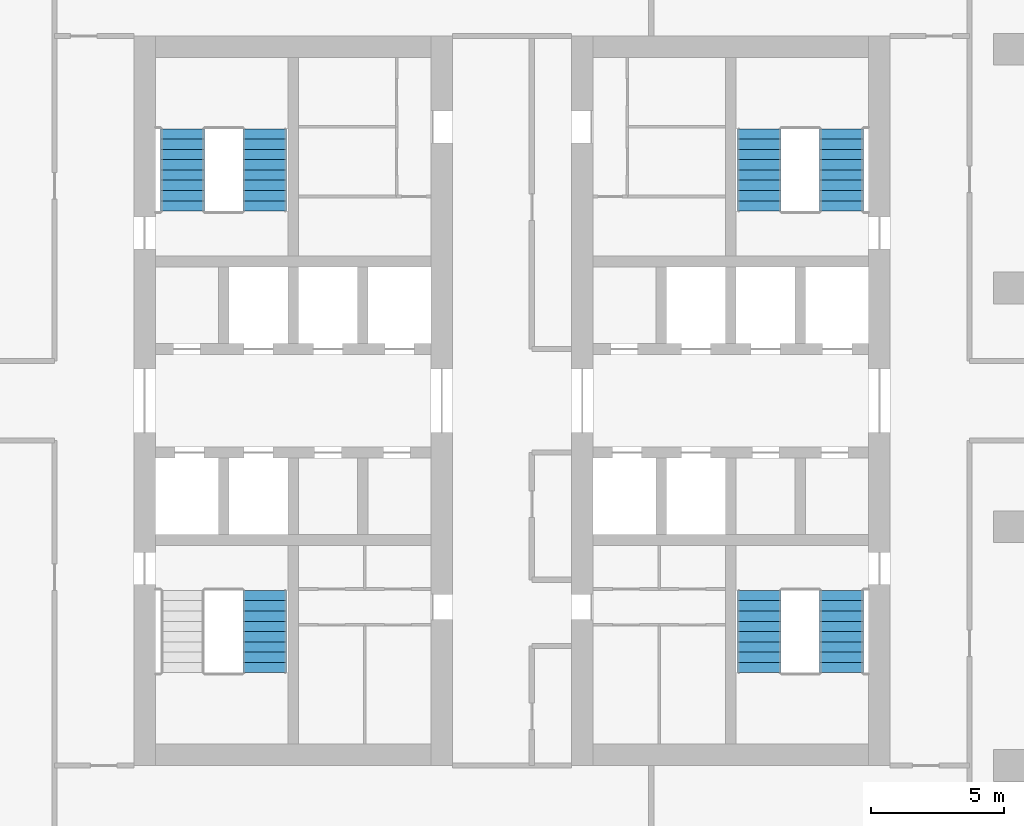
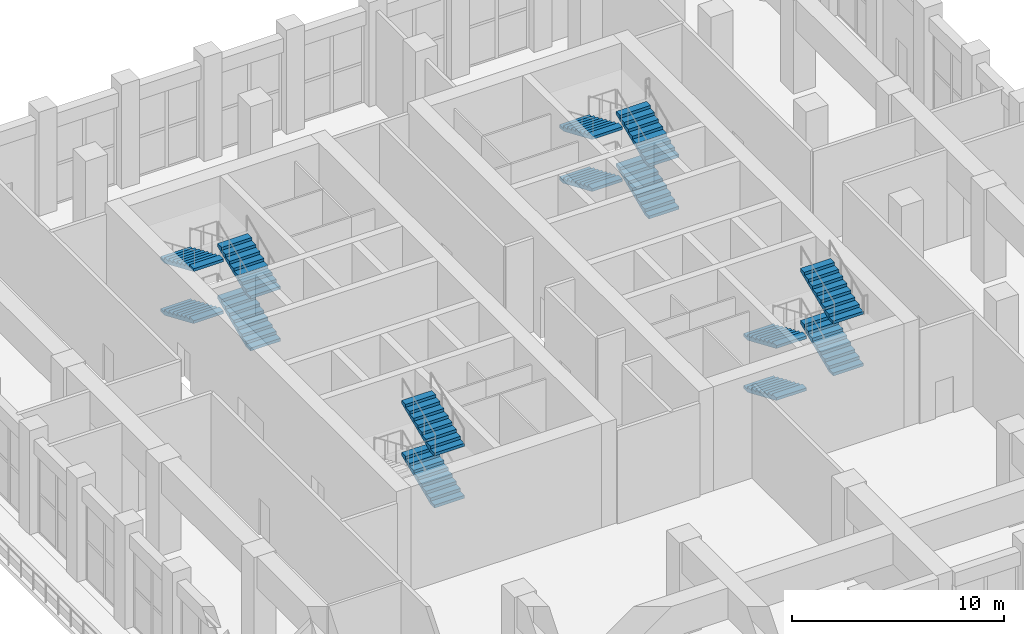
# One storey, part 17 of 25: 14 stair flights, 4 elements without a shape of their own.
"""IFC4 building model written with IfcOpenShell, lengths in metres."""

import ifcopenshell
import ifcopenshell.guid

model = None  # the IFC model being written
_history = None  # IfcOwnerHistory: only IFC2X3 demands one
_inside = {}  # id of a spatial element -> (the spatial element, [elements in it])
_under = {}  # id of a project, library or spatial element -> (it, [spatial elements below it])
_declared = {}  # id of a project -> (the project, [libraries it declares])
_typed = {}  # id of a type object -> (the type object, [elements of that type])
_made_of = {}  # id of a material, layer set ... -> (it, [elements and type objects made of it])


def new_model(schema):
    """Start an empty IFC model of exactly this schema.

    Asked for "IFC4X3", IfcOpenShell would pick the latest addendum, in which some entities
    have other attributes; the version numbers below select the first issue.
    IFC2X3 requires an IfcOwnerHistory on every rooted entity: one is made here for all.
    """
    global model, _history
    if schema == "IFC4X3":
        model = ifcopenshell.file(schema_version=(4, 3, 0, 0))
    else:
        model = ifcopenshell.file(schema=schema)
    _inside.clear()
    _under.clear()
    _declared.clear()
    _typed.clear()
    _made_of.clear()
    _history = None
    if model.schema == "IFC2X3":
        org = make("IfcOrganization", Name="unknown")
        user = make(
            "IfcPersonAndOrganization",
            ThePerson=make("IfcPerson", FamilyName="unknown"),
            TheOrganization=org,
        )
        app = make(
            "IfcApplication",
            ApplicationDeveloper=org,
            Version="unknown",
            ApplicationFullName="unknown",
            ApplicationIdentifier="unknown",
        )
        _history = make(
            "IfcOwnerHistory",
            OwningUser=user,
            OwningApplication=app,
            ChangeAction="ADDED",
            CreationDate=0,
        )
    return model


def make(cls, **values):
    """One entity of the class cls with the attributes given. An attribute that is None is left unset."""
    return model.create_entity(
        cls, **{name: value for name, value in values.items() if value is not None}
    )


def rooted(cls, **values):
    """An entity with a GlobalId (a new one), such as an element, a storey or a relation."""
    return make(cls, GlobalId=ifcopenshell.guid.new(), OwnerHistory=_history, **values)


def si_unit(unit_type, name, prefix=None):
    """IfcSIUnit, for example si_unit("LENGTHUNIT", "METRE", prefix="MILLI")."""
    return make("IfcSIUnit", UnitType=unit_type, Prefix=prefix, Name=name)


def assignment(units):
    """IfcUnitAssignment: the units of a project."""
    return None if units is None else make("IfcUnitAssignment", Units=units)


def point(xyz):
    """IfcCartesianPoint."""
    return None if xyz is None else make("IfcCartesianPoint", Coordinates=xyz)


def direction(xyz):
    """IfcDirection."""
    return None if xyz is None else make("IfcDirection", DirectionRatios=xyz)


def frame(location, z_axis=None, x_axis=None):
    """IfcAxis2Placement3D, a coordinate frame: its origin and axes. An axis left out is left unset."""
    return make(
        "IfcAxis2Placement3D",
        Location=point(location),
        Axis=direction(z_axis),
        RefDirection=direction(x_axis),
    )


def origin():
    """The frame at (0, 0, 0) with its axes left unset."""
    return frame((0.0, 0.0, 0.0))


def place(relative_to, where):
    """IfcLocalPlacement: puts the frame where relative to a parent placement (None: the world)."""
    return make(
        "IfcLocalPlacement", PlacementRelTo=relative_to, RelativePlacement=where
    )


def context(
    kind, dimensions, precision=None, world=None, true_north=None, identifier=None
):
    """IfcGeometricRepresentationContext, for example the 3D "Model" context."""
    return make(
        "IfcGeometricRepresentationContext",
        ContextIdentifier=identifier,
        ContextType=kind,
        CoordinateSpaceDimension=dimensions,
        Precision=precision,
        WorldCoordinateSystem=world,
        TrueNorth=true_north,
    )


def subcontext(parent, identifier, kind, view, scale=None):
    """IfcGeometricRepresentationSubContext, for example "Body" below "Model"."""
    return make(
        "IfcGeometricRepresentationSubContext",
        ContextIdentifier=identifier,
        ContextType=kind,
        ParentContext=parent,
        TargetScale=scale,
        TargetView=view,
    )


def project(units=None, contexts=None):
    """IfcProject with its units and contexts."""
    return rooted(
        "IfcProject",
        Name="project",
        RepresentationContexts=contexts,
        UnitsInContext=assignment(units),
    )


def spatial(cls, under=None, at=None, **own):
    """A site, building, storey or space (cls), placed at a placement, below another one or the project."""
    s = rooted(cls, ObjectPlacement=at, **own)
    if under is not None:
        _under.setdefault(under.id(), (under, []))[1].append(s)
    return s


def polyline(points):
    """IfcPolyline through the points."""
    return make("IfcPolyline", Points=[point(p) for p in points])


def outline(outer, holes=None, kind="AREA"):
    """IfcArbitraryClosedProfileDef: a profile drawn as a closed curve; with holes, ...WithVoids."""
    if holes is None:
        return make("IfcArbitraryClosedProfileDef", ProfileType=kind, OuterCurve=outer)
    return make(
        "IfcArbitraryProfileDefWithVoids",
        ProfileType=kind,
        OuterCurve=outer,
        InnerCurves=holes,
    )


def extrude(swept, where, along, depth):
    """IfcExtrudedAreaSolid: the profile swept, set in the frame where, extruded along a direction by depth."""
    return make(
        "IfcExtrudedAreaSolid",
        SweptArea=swept,
        Position=where,
        ExtrudedDirection=direction(along),
        Depth=depth,
    )


def shape(context_of_items, identifier, shape_type, items):
    """IfcShapeRepresentation: the items that make up one representation, for example the "Body"."""
    return make(
        "IfcShapeRepresentation",
        ContextOfItems=context_of_items,
        RepresentationIdentifier=identifier,
        RepresentationType=shape_type,
        Items=items,
    )


def material(Name=None, Category=None):
    """IfcMaterial."""
    return make("IfcMaterial", Name=Name, Category=Category)


def made_of(thing, what):
    """Note that an element or type object is made of a material, layer set ...; save() writes the relation."""
    if what is not None:
        _made_of.setdefault(what.id(), (what, []))[1].append(thing)
    return thing


def type_object(cls, material=None, **own):
    """A type object (cls), such as IfcWallType, which elements share."""
    return made_of(rooted(cls, **own), material)


def element(
    cls,
    number,
    at=None,
    inside=None,
    cuts=None,
    type_object=None,
    material=None,
    context=None,
    identifier="Body",
    shape_type=None,
    held_by="IfcProductDefinitionShape",
    body=None,
    shapes=None,
    **own,
):
    """One element of the class cls, such as IfcWall. Its Tag is "e" and its number.

    at: its placement. inside: the storey or other place that contains it. cuts: it is an
    opening in that element (IfcRelVoidsElement). A single representation is given by context,
    identifier, shape_type and body (its items); several are given by shapes. held_by: the class
    of the entity that holds the representations. save() writes the other relations.
    """
    e = rooted(cls, Tag="e%d" % number, ObjectPlacement=at, **own)
    if body is not None:
        shapes = [shape(context, identifier, shape_type, body)]
    if shapes is not None:
        e.Representation = make(held_by, Representations=shapes)
    if inside is not None:
        _inside.setdefault(inside.id(), (inside, []))[1].append(e)
    if cuts is not None:
        rooted(
            "IfcRelVoidsElement", RelatingBuildingElement=cuts, RelatedOpeningElement=e
        )
    if type_object is not None:
        _typed.setdefault(type_object.id(), (type_object, []))[1].append(e)
    return made_of(e, material)


def aggregate(whole, parts):
    """IfcRelAggregates: a whole, such as a stair, and the parts it consists of."""
    return rooted("IfcRelAggregates", RelatingObject=whole, RelatedObjects=parts)


def save(model, path):
    """Write the relations noted so far, then the file.

    IfcRelAggregates (storeys below a building ...), IfcRelContainedInSpatialStructure (elements
    in a storey), IfcRelDefinesByType, IfcRelAssociatesMaterial and IfcRelDeclares: one each for
    every whole, place, type object, material and project.
    """
    for whole, parts in _under.values():
        aggregate(whole, parts)
    for where, things in _inside.values():
        rooted(
            "IfcRelContainedInSpatialStructure",
            RelatedElements=things,
            RelatingStructure=where,
        )
    for kind, things in _typed.values():
        rooted("IfcRelDefinesByType", RelatedObjects=things, RelatingType=kind)
    for what, things in _made_of.values():
        rooted("IfcRelAssociatesMaterial", RelatedObjects=things, RelatingMaterial=what)
    for by, libraries in _declared.values():
        rooted("IfcRelDeclares", RelatingContext=by, RelatedDefinitions=libraries)
    model.write(path)


model = new_model("IFC4")

# Units and contexts
model_context = context("Model", 3, precision=1e-05, world=origin(), true_north=direction((0.0, 1.0)))
body_context = subcontext(model_context, "Body", "Model", "MODEL_VIEW")
ifc_project = project(units=[si_unit("LENGTHUNIT", "METRE"), si_unit("AREAUNIT", "SQUARE_METRE"), si_unit("VOLUMEUNIT", "CUBIC_METRE"), si_unit("PLANEANGLEUNIT", "RADIAN"), si_unit("MASSUNIT", "GRAM", prefix="KILO")], contexts=[model_context])

# Site, building, storey
site_placement = place(None, origin())
site = spatial("IfcSite", under=ifc_project, at=site_placement, CompositionType="ELEMENT")
building_placement = place(site_placement, origin())
building = spatial("IfcBuilding", under=site, at=building_placement, Name="Corbel Stack Research Tower", CompositionType="ELEMENT")
storey_placement = place(building_placement, frame((0.0, 0.0, 220.199951171875)))
storey = spatial("IfcBuildingStorey", under=building, at=storey_placement, Name="L50", CompositionType="ELEMENT", Elevation=220.199951171875)

# Stair, stair flights
ifc_material_1 = material(Name="Concrete C40/50", Category="concrete")
stair_type = type_object("IfcStairType", Name="Exit stair 36 risers, 388 going", PredefinedType="HALF_TURN_STAIR", material=ifc_material_1)
stair_1_placement = place(storey_placement, origin())
stair_1 = element("IfcStair", 1, at=stair_1_placement, inside=storey, type_object=stair_type, Name="L50 Exit stair ST-W1", PredefinedType="HALF_TURN_STAIR")
ifc_material_2 = material(Name="Concrete C40/50", Category="concrete")
stair_flight_type = type_object("IfcStairFlightType", Name="Stair flight 9 risers, 388 going", PredefinedType="STRAIGHT", material=ifc_material_2)
stair_flight_1_placement = place(storey_placement, frame((-5.574951171875, -5.50390625, 1.5), z_axis=(0.0, 0.0, 1.0), x_axis=(0.0, 1.0, 0.0)))
stair_flight_1 = element("IfcStairFlight", 2, at=stair_flight_1_placement, type_object=stair_flight_type, Name="ST-W1 flight 2", NumberOfRisers=9, NumberOfTreads=8, PredefinedType="STRAIGHT", RiserHeight=0.166666667, TreadLength=0.388, context=body_context, shape_type="SweptSolid", body=[
    extrude(outline(polyline([(0.0, 0.0), (0.0, 0.166748046875), (0.387939453125, 0.166748046875), (0.387939453125, 0.333251953125), (0.77587890625, 0.333251953125), (0.77587890625, 0.5), (1.1640625, 0.5), (1.1640625, 0.666748046875), (1.552001953125, 0.666748046875), (1.552001953125, 0.833251953125), (1.93994140625, 0.833251953125), (1.93994140625, 1.0), (2.327880859375, 1.0), (2.327880859375, 1.166748046875), (2.716064453125, 1.166748046875), (2.716064453125, 1.333251953125), (3.10400390625, 1.333251953125), (3.10400390625, 1.5), (3.10400390625, 1.170166015625), (0.3798828125, 0.0), (0.0, 0.0)])), frame((0.0, 0.824951171875, 0.0), z_axis=(0.0, -1.0, 0.0), x_axis=(1.0, 0.0, 0.0)), (0.0, 0.0, 1.0), 1.64990234375),
])
stair_flight_2_placement = place(storey_placement, frame((-5.574951171875, -5.50390625, 4.5), z_axis=(0.0, 0.0, 1.0), x_axis=(0.0, 1.0, 0.0)))
stair_flight_2 = element("IfcStairFlight", 3, at=stair_flight_2_placement, type_object=stair_flight_type, Name="ST-W1 flight 4", NumberOfRisers=9, NumberOfTreads=8, PredefinedType="STRAIGHT", RiserHeight=0.166666667, TreadLength=0.388, context=body_context, shape_type="SweptSolid", body=[
    extrude(outline(polyline([(0.0, 0.0), (0.0, 0.166748046875), (0.387939453125, 0.166748046875), (0.387939453125, 0.333251953125), (0.77587890625, 0.333251953125), (0.77587890625, 0.5), (1.1640625, 0.5), (1.1640625, 0.666748046875), (1.552001953125, 0.666748046875), (1.552001953125, 0.833251953125), (1.93994140625, 0.833251953125), (1.93994140625, 1.0), (2.327880859375, 1.0), (2.327880859375, 1.166748046875), (2.716064453125, 1.166748046875), (2.716064453125, 1.333251953125), (3.10400390625, 1.333251953125), (3.10400390625, 1.5), (3.10400390625, 1.170166015625), (0.3798828125, 0.0), (0.0, 0.0)])), frame((0.0, 0.824951171875, 0.0), z_axis=(0.0, -1.0, 0.0), x_axis=(1.0, 0.0, 0.0)), (0.0, 0.0, 1.0), 1.64990234375),
])
aggregate(stair_1, [stair_flight_1, stair_flight_2])

stair_2_placement = place(storey_placement, origin())
stair_2 = element("IfcStair", 4, at=stair_2_placement, inside=storey, type_object=stair_type, Name="L50 Exit stair ST-W2", PredefinedType="HALF_TURN_STAIR")
stair_flight_3_placement = place(storey_placement, frame((-5.574951171875, 11.89990234375, 0.0), z_axis=(0.0, 0.0, 1.0), x_axis=(0.0, 1.0, 0.0)))
stair_flight_3 = element("IfcStairFlight", 5, at=stair_flight_3_placement, type_object=stair_flight_type, Name="ST-W2 flight 1", NumberOfRisers=9, NumberOfTreads=8, PredefinedType="STRAIGHT", RiserHeight=0.166666667, TreadLength=0.388, context=body_context, shape_type="SweptSolid", body=[
    extrude(outline(polyline([(0.0, 0.0), (0.0, 0.166748046875), (0.387939453125, 0.166748046875), (0.387939453125, 0.333251953125), (0.77587890625, 0.333251953125), (0.77587890625, 0.5), (1.1640625, 0.5), (1.1640625, 0.666748046875), (1.552001953125, 0.666748046875), (1.552001953125, 0.833251953125), (1.93994140625, 0.833251953125), (1.93994140625, 1.0), (2.327880859375, 1.0), (2.327880859375, 1.166748046875), (2.716064453125, 1.166748046875), (2.716064453125, 1.333251953125), (3.10400390625, 1.333251953125), (3.10400390625, 1.5), (3.10400390625, 1.170166015625), (0.3798828125, 0.0), (0.0, 0.0)])), frame((0.0, 0.824951171875, 0.0), z_axis=(0.0, -1.0, 0.0), x_axis=(1.0, 0.0, 0.0)), (0.0, 0.0, 1.0), 1.64990234375),
])
stair_flight_4_placement = place(storey_placement, frame((-8.675048828125, 15.00390625, 1.5), z_axis=(0.0, 0.0, 1.0), x_axis=(0.0, -1.0, 0.0)))
stair_flight_4 = element("IfcStairFlight", 6, at=stair_flight_4_placement, type_object=stair_flight_type, Name="ST-W2 flight 2", NumberOfRisers=9, NumberOfTreads=8, PredefinedType="STRAIGHT", RiserHeight=0.166666667, TreadLength=0.388, context=body_context, shape_type="SweptSolid", body=[
    extrude(outline(polyline([(0.0, 0.0), (0.0, 0.166748046875), (0.387939453125, 0.166748046875), (0.387939453125, 0.333251953125), (0.77587890625, 0.333251953125), (0.77587890625, 0.5), (1.1640625, 0.5), (1.1640625, 0.666748046875), (1.552001953125, 0.666748046875), (1.552001953125, 0.833251953125), (1.93994140625, 0.833251953125), (1.93994140625, 1.0), (2.327880859375, 1.0), (2.327880859375, 1.166748046875), (2.716064453125, 1.166748046875), (2.716064453125, 1.333251953125), (3.10400390625, 1.333251953125), (3.10400390625, 1.5), (3.10400390625, 1.170166015625), (0.3798828125, 0.0), (0.0, 0.0)])), frame((0.0, 0.824951171875, 0.0), z_axis=(0.0, -1.0, 0.0), x_axis=(1.0, 0.0, 0.0)), (0.0, 0.0, 1.0), 1.64990234375),
])
stair_flight_5_placement = place(storey_placement, frame((-5.574951171875, 11.89990234375, 3.0), z_axis=(0.0, 0.0, 1.0), x_axis=(0.0, 1.0, 0.0)))
stair_flight_5 = element("IfcStairFlight", 7, at=stair_flight_5_placement, type_object=stair_flight_type, Name="ST-W2 flight 3", NumberOfRisers=9, NumberOfTreads=8, PredefinedType="STRAIGHT", RiserHeight=0.166666667, TreadLength=0.388, context=body_context, shape_type="SweptSolid", body=[
    extrude(outline(polyline([(0.0, 0.0), (0.0, 0.166748046875), (0.387939453125, 0.166748046875), (0.387939453125, 0.333251953125), (0.77587890625, 0.333251953125), (0.77587890625, 0.5), (1.1640625, 0.5), (1.1640625, 0.666748046875), (1.552001953125, 0.666748046875), (1.552001953125, 0.833251953125), (1.93994140625, 0.833251953125), (1.93994140625, 1.0), (2.327880859375, 1.0), (2.327880859375, 1.166748046875), (2.716064453125, 1.166748046875), (2.716064453125, 1.333251953125), (3.10400390625, 1.333251953125), (3.10400390625, 1.5), (3.10400390625, 1.170166015625), (0.3798828125, 0.0), (0.0, 0.0)])), frame((0.0, 0.824951171875, 0.0), z_axis=(0.0, -1.0, 0.0), x_axis=(1.0, 0.0, 0.0)), (0.0, 0.0, 1.0), 1.64990234375),
])
stair_flight_6_placement = place(storey_placement, frame((-8.675048828125, 15.00390625, 4.5), z_axis=(0.0, 0.0, 1.0), x_axis=(0.0, -1.0, 0.0)))
stair_flight_6 = element("IfcStairFlight", 8, at=stair_flight_6_placement, type_object=stair_flight_type, Name="ST-W2 flight 4", NumberOfRisers=9, NumberOfTreads=8, PredefinedType="STRAIGHT", RiserHeight=0.166666667, TreadLength=0.388, context=body_context, shape_type="SweptSolid", body=[
    extrude(outline(polyline([(0.0, 0.0), (0.0, 0.166748046875), (0.387939453125, 0.166748046875), (0.387939453125, 0.333251953125), (0.77587890625, 0.333251953125), (0.77587890625, 0.5), (1.1640625, 0.5), (1.1640625, 0.666748046875), (1.552001953125, 0.666748046875), (1.552001953125, 0.833251953125), (1.93994140625, 0.833251953125), (1.93994140625, 1.0), (2.327880859375, 1.0), (2.327880859375, 1.166748046875), (2.716064453125, 1.166748046875), (2.716064453125, 1.333251953125), (3.10400390625, 1.333251953125), (3.10400390625, 1.5), (3.10400390625, 1.170166015625), (0.3798828125, 0.0), (0.0, 0.0)])), frame((0.0, 0.824951171875, 0.0), z_axis=(0.0, -1.0, 0.0), x_axis=(1.0, 0.0, 0.0)), (0.0, 0.0, 1.0), 1.64990234375),
])
aggregate(stair_2, [stair_flight_3, stair_flight_4, stair_flight_5, stair_flight_6])

stair_3_placement = place(storey_placement, origin())
stair_3 = element("IfcStair", 9, at=stair_3_placement, inside=storey, type_object=stair_type, Name="L50 Exit stair ST-E1", PredefinedType="HALF_TURN_STAIR")
stair_flight_7_placement = place(storey_placement, frame((13.074951171875, -2.39990234375, 0.0), z_axis=(0.0, 0.0, 1.0), x_axis=(0.0, -1.0, 0.0)))
stair_flight_7 = element("IfcStairFlight", 10, at=stair_flight_7_placement, type_object=stair_flight_type, Name="ST-E1 flight 1", NumberOfRisers=9, NumberOfTreads=8, PredefinedType="STRAIGHT", RiserHeight=0.166666667, TreadLength=0.388, context=body_context, shape_type="SweptSolid", body=[
    extrude(outline(polyline([(0.0, 0.0), (0.0, 0.166748046875), (0.387939453125, 0.166748046875), (0.387939453125, 0.333251953125), (0.77587890625, 0.333251953125), (0.77587890625, 0.5), (1.1640625, 0.5), (1.1640625, 0.666748046875), (1.552001953125, 0.666748046875), (1.552001953125, 0.833251953125), (1.93994140625, 0.833251953125), (1.93994140625, 1.0), (2.327880859375, 1.0), (2.327880859375, 1.166748046875), (2.716064453125, 1.166748046875), (2.716064453125, 1.333251953125), (3.10400390625, 1.333251953125), (3.10400390625, 1.5), (3.10400390625, 1.170166015625), (0.3798828125, 0.0), (0.0, 0.0)])), frame((0.0, 0.824951171875, 0.0), z_axis=(0.0, -1.0, 0.0), x_axis=(1.0, 0.0, 0.0)), (0.0, 0.0, 1.0), 1.64990234375),
])
stair_flight_8_placement = place(storey_placement, frame((16.175048828125, -5.50390625, 1.5), z_axis=(0.0, 0.0, 1.0), x_axis=(0.0, 1.0, 0.0)))
stair_flight_8 = element("IfcStairFlight", 11, at=stair_flight_8_placement, type_object=stair_flight_type, Name="ST-E1 flight 2", NumberOfRisers=9, NumberOfTreads=8, PredefinedType="STRAIGHT", RiserHeight=0.166666667, TreadLength=0.388, context=body_context, shape_type="SweptSolid", body=[
    extrude(outline(polyline([(0.0, 0.0), (0.0, 0.166748046875), (0.387939453125, 0.166748046875), (0.387939453125, 0.333251953125), (0.77587890625, 0.333251953125), (0.77587890625, 0.5), (1.1640625, 0.5), (1.1640625, 0.666748046875), (1.552001953125, 0.666748046875), (1.552001953125, 0.833251953125), (1.93994140625, 0.833251953125), (1.93994140625, 1.0), (2.327880859375, 1.0), (2.327880859375, 1.166748046875), (2.716064453125, 1.166748046875), (2.716064453125, 1.333251953125), (3.10400390625, 1.333251953125), (3.10400390625, 1.5), (3.10400390625, 1.170166015625), (0.3798828125, 0.0), (0.0, 0.0)])), frame((0.0, 0.824951171875, 0.0), z_axis=(0.0, -1.0, 0.0), x_axis=(1.0, 0.0, 0.0)), (0.0, 0.0, 1.0), 1.64990234375),
])
stair_flight_9_placement = place(storey_placement, frame((13.074951171875, -2.39990234375, 3.0), z_axis=(0.0, 0.0, 1.0), x_axis=(0.0, -1.0, 0.0)))
stair_flight_9 = element("IfcStairFlight", 12, at=stair_flight_9_placement, type_object=stair_flight_type, Name="ST-E1 flight 3", NumberOfRisers=9, NumberOfTreads=8, PredefinedType="STRAIGHT", RiserHeight=0.166666667, TreadLength=0.388, context=body_context, shape_type="SweptSolid", body=[
    extrude(outline(polyline([(0.0, 0.0), (0.0, 0.166748046875), (0.387939453125, 0.166748046875), (0.387939453125, 0.333251953125), (0.77587890625, 0.333251953125), (0.77587890625, 0.5), (1.1640625, 0.5), (1.1640625, 0.666748046875), (1.552001953125, 0.666748046875), (1.552001953125, 0.833251953125), (1.93994140625, 0.833251953125), (1.93994140625, 1.0), (2.327880859375, 1.0), (2.327880859375, 1.166748046875), (2.716064453125, 1.166748046875), (2.716064453125, 1.333251953125), (3.10400390625, 1.333251953125), (3.10400390625, 1.5), (3.10400390625, 1.170166015625), (0.3798828125, 0.0), (0.0, 0.0)])), frame((0.0, 0.824951171875, 0.0), z_axis=(0.0, -1.0, 0.0), x_axis=(1.0, 0.0, 0.0)), (0.0, 0.0, 1.0), 1.64990234375),
])
stair_flight_10_placement = place(storey_placement, frame((16.175048828125, -5.50390625, 4.5), z_axis=(0.0, 0.0, 1.0), x_axis=(0.0, 1.0, 0.0)))
stair_flight_10 = element("IfcStairFlight", 13, at=stair_flight_10_placement, type_object=stair_flight_type, Name="ST-E1 flight 4", NumberOfRisers=9, NumberOfTreads=8, PredefinedType="STRAIGHT", RiserHeight=0.166666667, TreadLength=0.388, context=body_context, shape_type="SweptSolid", body=[
    extrude(outline(polyline([(0.0, 0.0), (0.0, 0.166748046875), (0.387939453125, 0.166748046875), (0.387939453125, 0.333251953125), (0.77587890625, 0.333251953125), (0.77587890625, 0.5), (1.1640625, 0.5), (1.1640625, 0.666748046875), (1.552001953125, 0.666748046875), (1.552001953125, 0.833251953125), (1.93994140625, 0.833251953125), (1.93994140625, 1.0), (2.327880859375, 1.0), (2.327880859375, 1.166748046875), (2.716064453125, 1.166748046875), (2.716064453125, 1.333251953125), (3.10400390625, 1.333251953125), (3.10400390625, 1.5), (3.10400390625, 1.170166015625), (0.3798828125, 0.0), (0.0, 0.0)])), frame((0.0, 0.824951171875, 0.0), z_axis=(0.0, -1.0, 0.0), x_axis=(1.0, 0.0, 0.0)), (0.0, 0.0, 1.0), 1.64990234375),
])
aggregate(stair_3, [stair_flight_7, stair_flight_8, stair_flight_9, stair_flight_10])

stair_4_placement = place(storey_placement, origin())
stair_4 = element("IfcStair", 14, at=stair_4_placement, inside=storey, type_object=stair_type, Name="L50 Exit stair ST-E2", PredefinedType="HALF_TURN_STAIR")
stair_flight_11_placement = place(storey_placement, frame((16.175048828125, 11.89990234375, 0.0), z_axis=(0.0, 0.0, 1.0), x_axis=(0.0, 1.0, 0.0)))
stair_flight_11 = element("IfcStairFlight", 15, at=stair_flight_11_placement, type_object=stair_flight_type, Name="ST-E2 flight 1", NumberOfRisers=9, NumberOfTreads=8, PredefinedType="STRAIGHT", RiserHeight=0.166666667, TreadLength=0.388, context=body_context, shape_type="SweptSolid", body=[
    extrude(outline(polyline([(0.0, 0.0), (0.0, 0.166748046875), (0.387939453125, 0.166748046875), (0.387939453125, 0.333251953125), (0.77587890625, 0.333251953125), (0.77587890625, 0.5), (1.1640625, 0.5), (1.1640625, 0.666748046875), (1.552001953125, 0.666748046875), (1.552001953125, 0.833251953125), (1.93994140625, 0.833251953125), (1.93994140625, 1.0), (2.327880859375, 1.0), (2.327880859375, 1.166748046875), (2.716064453125, 1.166748046875), (2.716064453125, 1.333251953125), (3.10400390625, 1.333251953125), (3.10400390625, 1.5), (3.10400390625, 1.170166015625), (0.3798828125, 0.0), (0.0, 0.0)])), frame((0.0, 0.824951171875, 0.0), z_axis=(0.0, -1.0, 0.0), x_axis=(1.0, 0.0, 0.0)), (0.0, 0.0, 1.0), 1.64990234375),
])
stair_flight_12_placement = place(storey_placement, frame((13.074951171875, 15.00390625, 1.5), z_axis=(0.0, 0.0, 1.0), x_axis=(0.0, -1.0, 0.0)))
stair_flight_12 = element("IfcStairFlight", 16, at=stair_flight_12_placement, type_object=stair_flight_type, Name="ST-E2 flight 2", NumberOfRisers=9, NumberOfTreads=8, PredefinedType="STRAIGHT", RiserHeight=0.166666667, TreadLength=0.388, context=body_context, shape_type="SweptSolid", body=[
    extrude(outline(polyline([(0.0, 0.0), (0.0, 0.166748046875), (0.387939453125, 0.166748046875), (0.387939453125, 0.333251953125), (0.77587890625, 0.333251953125), (0.77587890625, 0.5), (1.1640625, 0.5), (1.1640625, 0.666748046875), (1.552001953125, 0.666748046875), (1.552001953125, 0.833251953125), (1.93994140625, 0.833251953125), (1.93994140625, 1.0), (2.327880859375, 1.0), (2.327880859375, 1.166748046875), (2.716064453125, 1.166748046875), (2.716064453125, 1.333251953125), (3.10400390625, 1.333251953125), (3.10400390625, 1.5), (3.10400390625, 1.170166015625), (0.3798828125, 0.0), (0.0, 0.0)])), frame((0.0, 0.824951171875, 0.0), z_axis=(0.0, -1.0, 0.0), x_axis=(1.0, 0.0, 0.0)), (0.0, 0.0, 1.0), 1.64990234375),
])
stair_flight_13_placement = place(storey_placement, frame((16.175048828125, 11.89990234375, 3.0), z_axis=(0.0, 0.0, 1.0), x_axis=(0.0, 1.0, 0.0)))
stair_flight_13 = element("IfcStairFlight", 17, at=stair_flight_13_placement, type_object=stair_flight_type, Name="ST-E2 flight 3", NumberOfRisers=9, NumberOfTreads=8, PredefinedType="STRAIGHT", RiserHeight=0.166666667, TreadLength=0.388, context=body_context, shape_type="SweptSolid", body=[
    extrude(outline(polyline([(0.0, 0.0), (0.0, 0.166748046875), (0.387939453125, 0.166748046875), (0.387939453125, 0.333251953125), (0.77587890625, 0.333251953125), (0.77587890625, 0.5), (1.1640625, 0.5), (1.1640625, 0.666748046875), (1.552001953125, 0.666748046875), (1.552001953125, 0.833251953125), (1.93994140625, 0.833251953125), (1.93994140625, 1.0), (2.327880859375, 1.0), (2.327880859375, 1.166748046875), (2.716064453125, 1.166748046875), (2.716064453125, 1.333251953125), (3.10400390625, 1.333251953125), (3.10400390625, 1.5), (3.10400390625, 1.170166015625), (0.3798828125, 0.0), (0.0, 0.0)])), frame((0.0, 0.824951171875, 0.0), z_axis=(0.0, -1.0, 0.0), x_axis=(1.0, 0.0, 0.0)), (0.0, 0.0, 1.0), 1.64990234375),
])
stair_flight_14_placement = place(storey_placement, frame((13.074951171875, 15.00390625, 4.5), z_axis=(0.0, 0.0, 1.0), x_axis=(0.0, -1.0, 0.0)))
stair_flight_14 = element("IfcStairFlight", 18, at=stair_flight_14_placement, type_object=stair_flight_type, Name="ST-E2 flight 4", NumberOfRisers=9, NumberOfTreads=8, PredefinedType="STRAIGHT", RiserHeight=0.166666667, TreadLength=0.388, context=body_context, shape_type="SweptSolid", body=[
    extrude(outline(polyline([(0.0, 0.0), (0.0, 0.166748046875), (0.387939453125, 0.166748046875), (0.387939453125, 0.333251953125), (0.77587890625, 0.333251953125), (0.77587890625, 0.5), (1.1640625, 0.5), (1.1640625, 0.666748046875), (1.552001953125, 0.666748046875), (1.552001953125, 0.833251953125), (1.93994140625, 0.833251953125), (1.93994140625, 1.0), (2.327880859375, 1.0), (2.327880859375, 1.166748046875), (2.716064453125, 1.166748046875), (2.716064453125, 1.333251953125), (3.10400390625, 1.333251953125), (3.10400390625, 1.5), (3.10400390625, 1.170166015625), (0.3798828125, 0.0), (0.0, 0.0)])), frame((0.0, 0.824951171875, 0.0), z_axis=(0.0, -1.0, 0.0), x_axis=(1.0, 0.0, 0.0)), (0.0, 0.0, 1.0), 1.64990234375),
])
aggregate(stair_4, [stair_flight_11, stair_flight_12, stair_flight_13, stair_flight_14])

save(model, "model.ifc")
